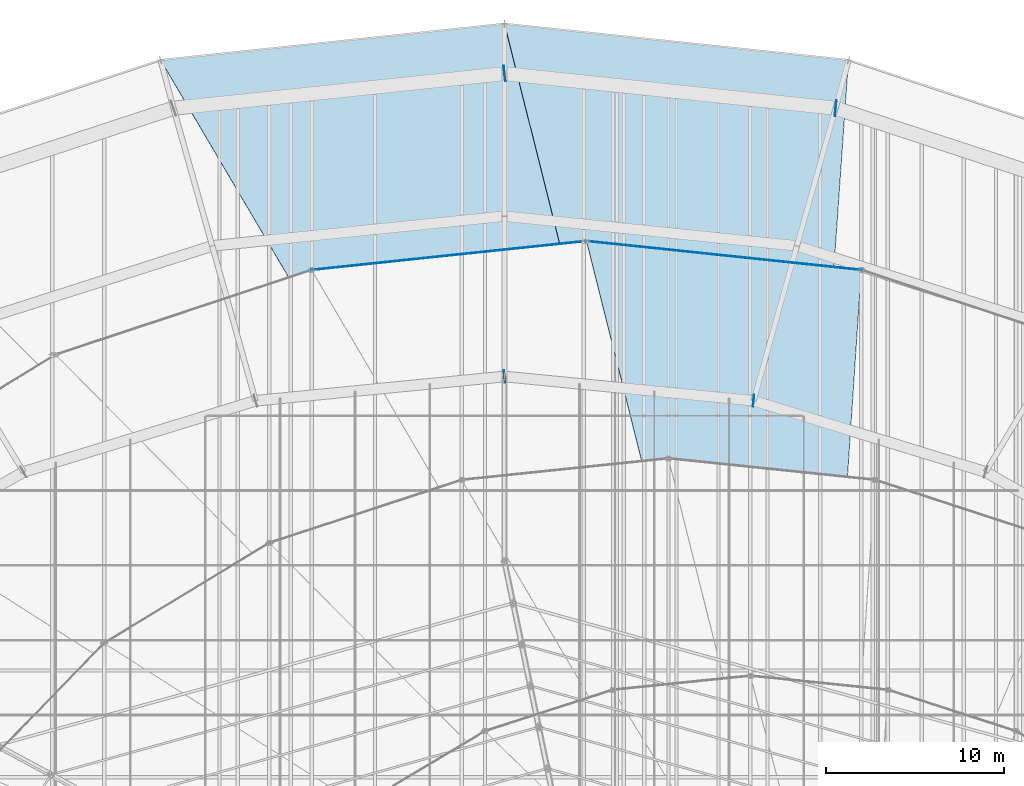
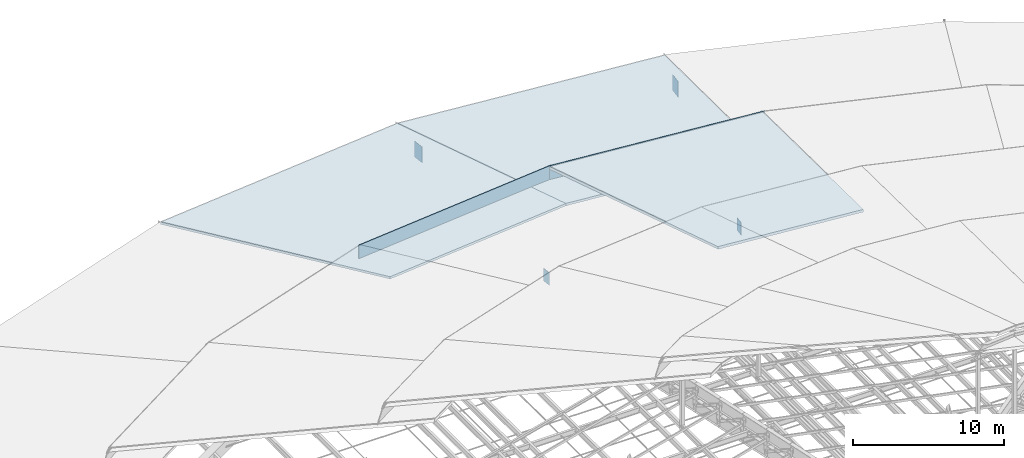
# One storey, part 154 of 184: 6 plates, 3 slabs.
"""IFC4 building model written with IfcOpenShell, lengths in metres."""

from ifc_helpers import new_model, si_unit, direction, frame, origin, origin_2d, place, context, subcontext, project, spatial, polyline, rectangle, outline, extrude, material, layer, layer_set, type_object, element, save


model = new_model("IFC4")

# Units and contexts
model_context = context("Model", 3, precision=1e-05, world=origin(), true_north=direction((0.0, 1.0)))
body_context = subcontext(model_context, "Body", "Model", "MODEL_VIEW")
ifc_project = project(units=[si_unit("LENGTHUNIT", "METRE"), si_unit("AREAUNIT", "SQUARE_METRE"), si_unit("VOLUMEUNIT", "CUBIC_METRE"), si_unit("PLANEANGLEUNIT", "RADIAN"), si_unit("MASSUNIT", "GRAM", prefix="KILO")], contexts=[model_context])

# Site, building, storey
site_placement = place(None, origin())
site = spatial("IfcSite", under=ifc_project, at=site_placement, CompositionType="ELEMENT")
building_placement = place(site_placement, origin())
building = spatial("IfcBuilding", under=site, at=building_placement, Name="Kalgoora Escarpment Arena", CompositionType="ELEMENT")
storey_placement = place(building_placement, frame((0.0, 0.0, 27.60009765625)))
storey = spatial("IfcBuildingStorey", under=building, at=storey_placement, Name="Roof Level", CompositionType="ELEMENT", Elevation=27.60009765625)

# Plates
ifc_material_1 = material(Name="Low-E double-glazed petal clerestory glass", Category="glass")
ifc_layer_1 = layer(ifc_material_1, 0.035888671875)
ifc_layer_set_1 = layer_set([ifc_layer_1], Name="PLT-PETAL-CLERESTORY")
plate_type_1 = type_object("IfcPlateType", Name="PLT-PETAL-CLERESTORY", PredefinedType="USERDEFINED", material=ifc_layer_set_1)
for number, where, z_axis, x_axis, name in (
    (1, (104.712890625, 110.7890625, 0.260009765625), (0.0, 0.0, 1.0), (-0.994521895368, 0.104528463268, 0.0), "Petal RP2 glazed clerestory collar panel S06"),
    (2, (89.287109375, 110.7890625, 0.260009765625), (0.0, 0.0, 1.0), (-0.994521895368, -0.104528463268, 0.0), "Petal RP2 glazed clerestory collar panel S07"),
):
    element("IfcPlate", number, at=place(storey_placement, frame(where, z_axis=z_axis, x_axis=x_axis)), inside=storey, type_object=plate_type_1, Name=name, ObjectType="CLERESTORY PANEL", PredefinedType="USERDEFINED", context=body_context, shape_type="SweptSolid", body=[
        extrude(rectangle(XDim=15.743408203125, YDim=0.0400390625, at=origin_2d()), origin(), (0.0, 0.0, 1.0), 1.25),
    ])
ifc_material_2 = material(Name="Structural steel Grade 350 (350 MPa)", Category="steel")
ifc_layer_2 = layer(ifc_material_2, 0.031982421875)
ifc_layer_set_2 = layer_set([ifc_layer_2], Name="PLT-RING-DIAPH")
plate_type_2 = type_object("IfcPlateType", Name="PLT-RING-DIAPH", PredefinedType="USERDEFINED", material=ifc_layer_set_2)
plate_1_placement = place(storey_placement, frame((110.983154296875, 119.057861328125, -2.09033203125), z_axis=(0.0, 0.0, 1.0), x_axis=(-0.994576490014, 0.104007718516, 0.0)))
element("IfcPlate", 3, at=plate_1_placement, inside=storey, type_object=plate_type_2, Name="Compression ring node diaphragm plate 06", ObjectType="FLANGE PLATE", PredefinedType="USERDEFINED", context=body_context, shape_type="SweptSolid", body=[
    extrude(rectangle(XDim=0.031982421875, YDim=0.8798828125, at=origin_2d()), origin(), (0.0, 0.0, 1.0), 1.280029296875),
])
plate_2_placement = place(storey_placement, frame((106.376220703125, 102.636962890625, -1.760009765625), z_axis=(0.0, 0.0, 1.0), x_axis=(-0.995278357843, 0.097061786558, 0.0)))
element("IfcPlate", 4, at=plate_2_placement, inside=storey, type_object=plate_type_2, Name="Inner ring node diaphragm plate 06", ObjectType="FLANGE PLATE", PredefinedType="USERDEFINED", context=body_context, shape_type="SweptSolid", body=[
    extrude(rectangle(XDim=0.031982421875, YDim=0.679931640625, at=origin_2d()), origin(), (0.0, 0.0, 1.0), 1.02001953125),
])
plate_3_placement = place(storey_placement, frame((92.39990234375, 121.0, -2.09033203125), z_axis=(0.0, 0.0, 1.0), x_axis=(-0.994576490014, -0.104007718516, 0.0)))
element("IfcPlate", 5, at=plate_3_placement, inside=storey, type_object=plate_type_2, Name="Compression ring node diaphragm plate 07", ObjectType="FLANGE PLATE", PredefinedType="USERDEFINED", context=body_context, shape_type="SweptSolid", body=[
    extrude(rectangle(XDim=0.031982421875, YDim=0.8798828125, at=origin_2d()), origin(), (0.0, 0.0, 1.0), 1.280029296875),
])
plate_4_placement = place(storey_placement, frame((92.39990234375, 104.0, -1.760009765625), z_axis=(0.0, 0.0, 1.0), x_axis=(-0.995278357843, -0.097061786558, 0.0)))
element("IfcPlate", 6, at=plate_4_placement, inside=storey, type_object=plate_type_2, Name="Inner ring node diaphragm plate 07", ObjectType="FLANGE PLATE", PredefinedType="USERDEFINED", context=body_context, shape_type="SweptSolid", body=[
    extrude(rectangle(XDim=0.031982421875, YDim=0.679931640625, at=origin_2d()), origin(), (0.0, 0.0, 1.0), 1.02001953125),
])

# Slabs
ifc_material_3 = material(Name="White acoustic composite Concrete N40 (fc' 40 MPa)", Category="concrete")
ifc_layer_3 = layer(ifc_material_3, 0.179931640625)
ifc_layer_set_3 = layer_set([ifc_layer_3], Name="SLB-PETAL-RP1")
slab_type_1 = type_object("IfcSlabType", Name="SLB-PETAL-RP1", PredefinedType="ROOF", material=ifc_layer_set_3)
slab_1_placement = place(storey_placement, frame((111.7080078125, 121.762451171875, -0.840087890625), z_axis=(0.011061164353, 0.104817995031, 0.994429906309), x_axis=(-0.994477723316, 0.10494788148, -3.46909e-07)))
element("IfcSlab", 7, at=slab_1_placement, inside=storey, type_object=slab_type_1, Name="Shifted white roof petal RP1 sector 06", PredefinedType="ROOF", context=body_context, shape_type="SweptSolid", body=[
    extrude(outline(polyline([(0.0, 0.0), (19.415322325449125, 0.0), (13.889561284888575, 15.188185890538666), (-0.5279422912612953, 15.181125560909972), (0.0, 0.0)])), origin(), (0.0, 0.0, -1.0), 0.179931640625),
])
slab_2_placement = place(storey_placement, frame((92.39990234375, 123.800048828125, -0.840087890625), z_axis=(-0.010493235346, 0.099424784922, 0.994989750779), x_axis=(-0.99447757327, -0.104949303299, -7.28966e-07)))
element("IfcSlab", 8, at=slab_2_placement, inside=storey, type_object=slab_type_1, Name="Shifted white roof petal RP1 sector 07", PredefinedType="ROOF", context=body_context, shape_type="SweptSolid", body=[
    extrude(outline(polyline([(0.0, 0.0), (19.41507953305003, 4.440892098500626e-16), (12.16615908227829, 15.997424186530997), (-2.251344484602831, 16.004503407008094), (0.0, 0.0)])), origin(), (0.0, 0.0, -1.0), 0.179931640625),
])
ifc_material_4 = material(Name="White acoustic composite Concrete N40 (fc' 40 MPa)", Category="concrete")
ifc_layer_4 = layer(ifc_material_4, 0.205078125)
ifc_layer_set_4 = layer_set([ifc_layer_4], Name="SLB-PETAL-RP2")
slab_type_2 = type_object("IfcSlabType", Name="SLB-PETAL-RP2", PredefinedType="ROOF", material=ifc_layer_set_4)
slab_3_placement = place(storey_placement, frame((112.425537109375, 109.97802734375, 1.449951171875), z_axis=(0.011031743765, 0.104850224449, 0.99442683545), x_axis=(-0.994516591098, 0.104578917534, 6.163578e-06)))
element("IfcSlab", 9, at=slab_3_placement, inside=storey, type_object=slab_type_2, Name="Shifted white roof petal RP2 sector 06", PredefinedType="ROOF", context=body_context, shape_type="SweptSolid", body=[
    extrude(outline(polyline([(0.0, 0.0), (15.510586939318475, 0.0), (9.990683021847353, 15.190329909571583), (-0.5740222034693478, 15.175644503874302), (0.0, 0.0)])), origin(), (0.0, 0.0, -1.0), 0.205078125),
])

save(model, "model.ifc")
